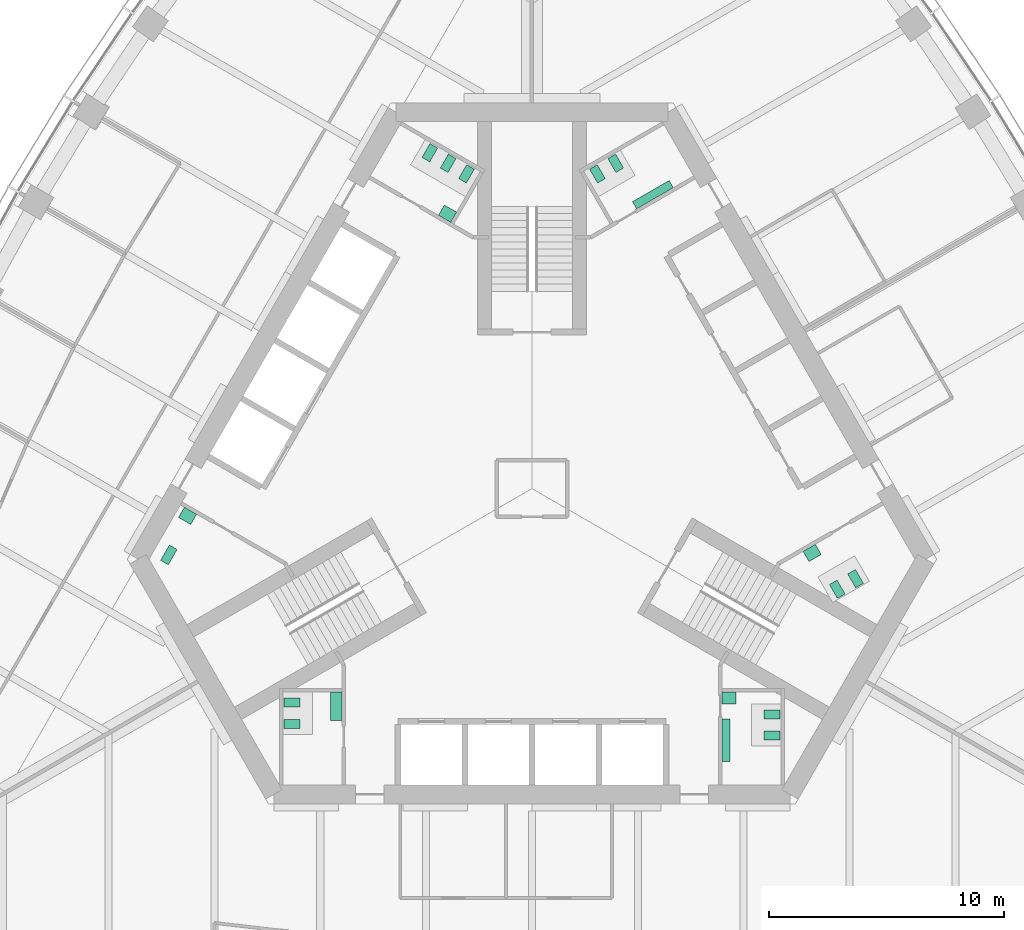
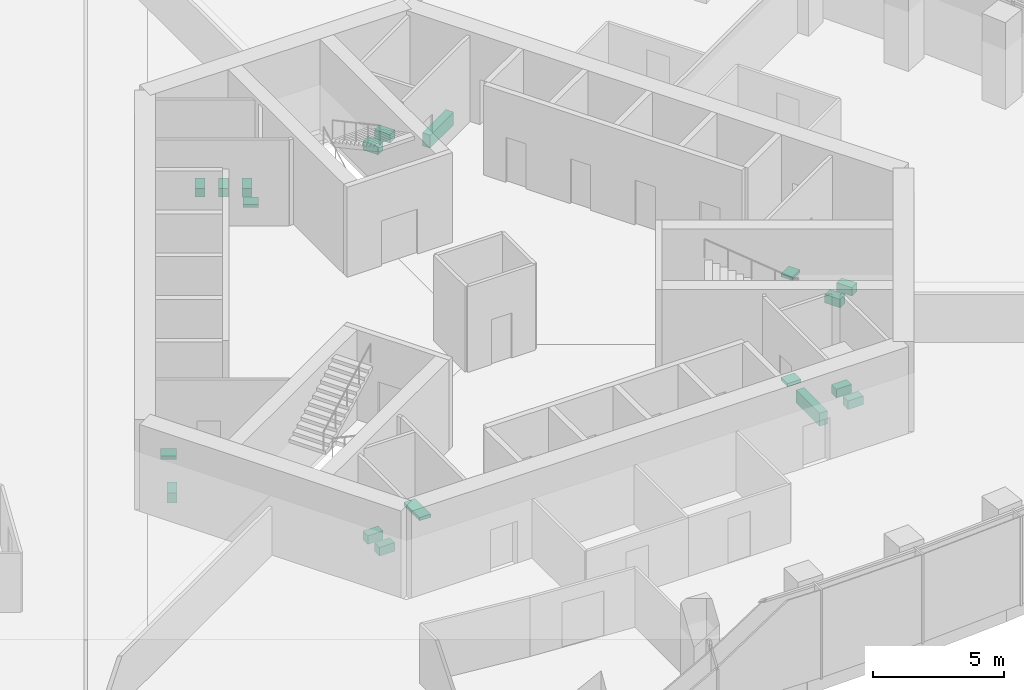
# One storey, part 18 of 19: 19 sanitary terminals.
"""IFC4 building model written with IfcOpenShell, lengths in metres."""

from ifc_helpers import new_model, si_unit, direction, frame, origin, place, context, subcontext, project, spatial, polyline, outline, extrude, material, type_object, element, save


model = new_model("IFC4")

# Units and contexts
model_context = context("Model", 3, precision=1e-05, world=origin(), true_north=direction((0.0, 1.0)))
body_context = subcontext(model_context, "Body", "Model", "MODEL_VIEW")
ifc_project = project(units=[si_unit("LENGTHUNIT", "METRE"), si_unit("AREAUNIT", "SQUARE_METRE"), si_unit("VOLUMEUNIT", "CUBIC_METRE"), si_unit("PLANEANGLEUNIT", "RADIAN"), si_unit("MASSUNIT", "GRAM", prefix="KILO")], contexts=[model_context])

# Site, building, storey
site_placement = place(None, origin())
site = spatial("IfcSite", under=ifc_project, at=site_placement, CompositionType="ELEMENT")
building_placement = place(site_placement, origin())
building = spatial("IfcBuilding", under=site, at=building_placement, Name="Trefoil Bronze Tower", CompositionType="ELEMENT")
storey_placement = place(building_placement, frame((0.0, 0.0, 206.5)))
storey = spatial("IfcBuildingStorey", under=building, at=storey_placement, Name="L47", CompositionType="ELEMENT", Elevation=206.5)

# Sanitary terminals
ifc_material_1 = material(Name="Vitreous china", Category="ceramic")
sanitary_terminal_type_1 = type_object("IfcSanitaryTerminalType", Name="Accessible WC pan", PredefinedType="TOILETPAN", material=ifc_material_1)
sanitary_terminal_1_placement = place(storey_placement, origin())
element("IfcSanitaryTerminal", 1, at=sanitary_terminal_1_placement, inside=storey, type_object=sanitary_terminal_type_1, Name="WC pan 1 Accessible WC L47", PredefinedType="TOILETPAN", context=body_context, shape_type="SweptSolid", body=[
    extrude(outline(polyline([(-15.085693359375, -2.589111328125), (-15.460693359375, -3.238525390625), (-15.789794921875, -3.048583984375), (-15.414794921875, -2.399169921875), (-15.085693359375, -2.589111328125)])), origin(), (0.0, 0.0, 1.0), 0.449951171875),
])
ifc_material_2 = material(Name="Vitreous china", Category="ceramic")
sanitary_terminal_type_2 = type_object("IfcSanitaryTerminalType", Name="Accessible basin", PredefinedType="WASHHANDBASIN", material=ifc_material_2)
sanitary_terminal_2_placement = place(storey_placement, frame((0.0, 0.0, 0.64990234375)))
element("IfcSanitaryTerminal", 2, at=sanitary_terminal_2_placement, inside=storey, type_object=sanitary_terminal_type_2, Name="Wash basin Accessible WC L47", PredefinedType="WASHHANDBASIN", context=body_context, shape_type="SweptSolid", body=[
    extrude(outline(polyline([(-14.256591796875, -1.09326171875), (-14.506591796875, -1.526123046875), (-15.026123046875, -1.22607421875), (-14.776123046875, -0.793212890625), (-14.256591796875, -1.09326171875)])), origin(), (0.0, 0.0, 1.0), 0.150146484375),
])
ifc_material_3 = material(Name="Vitreous china", Category="ceramic")
sanitary_terminal_type_3 = type_object("IfcSanitaryTerminalType", Name="Urinal range 3 urinals", PredefinedType="URINAL", material=ifc_material_3)
sanitary_terminal_3_placement = place(storey_placement, frame((0.0, 0.0, 0.39990234375)))
element("IfcSanitaryTerminal", 3, at=sanitary_terminal_3_placement, inside=storey, type_object=sanitary_terminal_type_3, Name="Urinal range WC (men) L47", PredefinedType="URINAL", context=body_context, shape_type="SweptSolid", body=[
    extrude(outline(polyline([(8.074951171875, -9.800048828125), (8.425048828125, -9.800048828125), (8.425048828125, -11.60009765625), (8.074951171875, -11.60009765625), (8.074951171875, -9.800048828125)])), origin(), (0.0, 0.0, 1.0), 0.60009765625),
])
sanitary_terminal_4_placement = place(storey_placement, frame((0.0, 0.0, 0.39990234375)))
element("IfcSanitaryTerminal", 4, at=sanitary_terminal_4_placement, inside=storey, type_object=sanitary_terminal_type_3, Name="Urinal range WC (men) L47", PredefinedType="URINAL", context=body_context, shape_type="SweptSolid", body=[
    extrude(outline(polyline([(4.449462890625, 11.89306640625), (4.274658203125, 12.1962890625), (5.83349609375, 13.09619140625), (6.00830078125, 12.793212890625), (4.449462890625, 11.89306640625)])), origin(), (0.0, 0.0, 1.0), 0.60009765625),
])
ifc_material_4 = material(Name="Solid surface vanity", Category="plastic")
sanitary_terminal_type_4 = type_object("IfcSanitaryTerminalType", Name="Vanity unit 1 basins", PredefinedType="WASHHANDBASIN", material=ifc_material_4)
sanitary_terminal_5_placement = place(storey_placement, frame((0.0, 0.0, 0.75)))
element("IfcSanitaryTerminal", 5, at=sanitary_terminal_5_placement, inside=storey, type_object=sanitary_terminal_type_4, Name="Vanity unit WC (men) L47", PredefinedType="WASHHANDBASIN", context=body_context, shape_type="SweptSolid", body=[
    extrude(outline(polyline([(8.074951171875, -8.64990234375), (8.675048828125, -8.64990234375), (8.675048828125, -9.14990234375), (8.074951171875, -9.14990234375), (8.074951171875, -8.64990234375)])), origin(), (0.0, 0.0, 1.0), 0.14990234375),
])
sanitary_terminal_6_placement = place(storey_placement, frame((0.0, 0.0, 0.75)))
element("IfcSanitaryTerminal", 6, at=sanitary_terminal_6_placement, inside=storey, type_object=sanitary_terminal_type_4, Name="Vanity unit WC (women) L47", PredefinedType="WASHHANDBASIN", context=body_context, shape_type="SweptSolid", body=[
    extrude(outline(polyline([(11.528564453125, -2.668212890625), (11.778564453125, -3.10107421875), (12.29833984375, -2.80126953125), (12.04833984375, -2.3681640625), (11.528564453125, -2.668212890625)])), origin(), (0.0, 0.0, 1.0), 0.14990234375),
])
sanitary_terminal_7_placement = place(storey_placement, frame((0.0, 0.0, 0.75)))
element("IfcSanitaryTerminal", 7, at=sanitary_terminal_7_placement, inside=storey, type_object=sanitary_terminal_type_4, Name="Vanity unit WC (women) L47", PredefinedType="WASHHANDBASIN", context=body_context, shape_type="SweptSolid", body=[
    extrude(outline(polyline([(-3.45361328125, 11.318115234375), (-3.20361328125, 11.751220703125), (-3.72314453125, 12.05126953125), (-3.97314453125, 11.6181640625), (-3.45361328125, 11.318115234375)])), origin(), (0.0, 0.0, 1.0), 0.14990234375),
])
ifc_material_5 = material(Name="Solid surface vanity", Category="plastic")
sanitary_terminal_type_5 = type_object("IfcSanitaryTerminalType", Name="Vanity unit 2 basins", PredefinedType="WASHHANDBASIN", material=ifc_material_5)
sanitary_terminal_8_placement = place(storey_placement, frame((0.0, 0.0, 0.75)))
element("IfcSanitaryTerminal", 8, at=sanitary_terminal_8_placement, inside=storey, type_object=sanitary_terminal_type_5, Name="Vanity unit WC (women) L47", PredefinedType="WASHHANDBASIN", context=body_context, shape_type="SweptSolid", body=[
    extrude(outline(polyline([(-8.074951171875, -8.64990234375), (-8.574951171875, -8.64990234375), (-8.574951171875, -9.85009765625), (-8.074951171875, -9.85009765625), (-8.074951171875, -8.64990234375)])), origin(), (0.0, 0.0, 1.0), 0.14990234375),
])
ifc_material_6 = material(Name="Vitreous china", Category="ceramic")
sanitary_terminal_type_6 = type_object("IfcSanitaryTerminalType", Name="WC pan", PredefinedType="TOILETPAN", material=ifc_material_6)
sanitary_terminal_9_placement = place(storey_placement, origin())
element("IfcSanitaryTerminal", 9, at=sanitary_terminal_9_placement, inside=storey, type_object=sanitary_terminal_type_6, Name="WC pan 1 WC (men) L47", PredefinedType="TOILETPAN", context=body_context, shape_type="SweptSolid", body=[
    extrude(outline(polyline([(9.85498046875, -9.409912109375), (10.534912109375, -9.409912109375), (10.534912109375, -9.7900390625), (9.85498046875, -9.7900390625), (9.85498046875, -9.409912109375)])), origin(), (0.0, 0.0, 1.0), 0.39990234375),
])
sanitary_terminal_10_placement = place(storey_placement, origin())
element("IfcSanitaryTerminal", 10, at=sanitary_terminal_10_placement, inside=storey, type_object=sanitary_terminal_type_6, Name="WC pan 2 WC (men) L47", PredefinedType="TOILETPAN", context=body_context, shape_type="SweptSolid", body=[
    extrude(outline(polyline([(9.85498046875, -10.31005859375), (10.534912109375, -10.31005859375), (10.534912109375, -10.68994140625), (9.85498046875, -10.68994140625), (9.85498046875, -10.31005859375)])), origin(), (0.0, 0.0, 1.0), 0.39990234375),
])
sanitary_terminal_11_placement = place(storey_placement, origin())
element("IfcSanitaryTerminal", 11, at=sanitary_terminal_11_placement, inside=storey, type_object=sanitary_terminal_type_6, Name="WC pan 1 WC (women) L47", PredefinedType="TOILETPAN", context=body_context, shape_type="SweptSolid", body=[
    extrude(outline(polyline([(12.643798828125, -4.07958984375), (12.98388671875, -4.66845703125), (13.31298828125, -4.478515625), (12.972900390625, -3.8896484375), (12.643798828125, -4.07958984375)])), origin(), (0.0, 0.0, 1.0), 0.39990234375),
])
sanitary_terminal_12_placement = place(storey_placement, origin())
element("IfcSanitaryTerminal", 12, at=sanitary_terminal_12_placement, inside=storey, type_object=sanitary_terminal_type_6, Name="WC pan 2 WC (women) L47", PredefinedType="TOILETPAN", context=body_context, shape_type="SweptSolid", body=[
    extrude(outline(polyline([(13.423095703125, -3.629638671875), (13.76318359375, -4.218505859375), (14.09228515625, -4.028564453125), (13.752197265625, -3.439697265625), (13.423095703125, -3.629638671875)])), origin(), (0.0, 0.0, 1.0), 0.39990234375),
])
sanitary_terminal_13_placement = place(storey_placement, origin())
element("IfcSanitaryTerminal", 13, at=sanitary_terminal_13_placement, inside=storey, type_object=sanitary_terminal_type_6, Name="WC pan 1 WC (men) L47", PredefinedType="TOILETPAN", context=body_context, shape_type="SweptSolid", body=[
    extrude(outline(polyline([(2.788818359375, 12.98974609375), (2.44873046875, 13.57861328125), (2.77783203125, 13.7685546875), (3.117919921875, 13.1796875), (2.788818359375, 12.98974609375)])), origin(), (0.0, 0.0, 1.0), 0.39990234375),
])
sanitary_terminal_14_placement = place(storey_placement, origin())
element("IfcSanitaryTerminal", 14, at=sanitary_terminal_14_placement, inside=storey, type_object=sanitary_terminal_type_6, Name="WC pan 2 WC (men) L47", PredefinedType="TOILETPAN", context=body_context, shape_type="SweptSolid", body=[
    extrude(outline(polyline([(3.568115234375, 13.439697265625), (3.228271484375, 14.028564453125), (3.557373046875, 14.218505859375), (3.897216796875, 13.629638671875), (3.568115234375, 13.439697265625)])), origin(), (0.0, 0.0, 1.0), 0.39990234375),
])
sanitary_terminal_15_placement = place(storey_placement, origin())
element("IfcSanitaryTerminal", 15, at=sanitary_terminal_15_placement, inside=storey, type_object=sanitary_terminal_type_6, Name="WC pan 1 WC (women) L47", PredefinedType="TOILETPAN", context=body_context, shape_type="SweptSolid", body=[
    extrude(outline(polyline([(-2.788818359375, 12.98974609375), (-2.44873046875, 13.57861328125), (-2.77783203125, 13.7685546875), (-3.117919921875, 13.1796875), (-2.788818359375, 12.98974609375)])), origin(), (0.0, 0.0, 1.0), 0.39990234375),
])
sanitary_terminal_16_placement = place(storey_placement, origin())
element("IfcSanitaryTerminal", 16, at=sanitary_terminal_16_placement, inside=storey, type_object=sanitary_terminal_type_6, Name="WC pan 2 WC (women) L47", PredefinedType="TOILETPAN", context=body_context, shape_type="SweptSolid", body=[
    extrude(outline(polyline([(-3.568115234375, 13.439697265625), (-3.228271484375, 14.028564453125), (-3.557373046875, 14.218505859375), (-3.897216796875, 13.629638671875), (-3.568115234375, 13.439697265625)])), origin(), (0.0, 0.0, 1.0), 0.39990234375),
])
sanitary_terminal_17_placement = place(storey_placement, origin())
element("IfcSanitaryTerminal", 17, at=sanitary_terminal_17_placement, inside=storey, type_object=sanitary_terminal_type_6, Name="WC pan 3 WC (women) L47", PredefinedType="TOILETPAN", context=body_context, shape_type="SweptSolid", body=[
    extrude(outline(polyline([(-4.34765625, 13.8896484375), (-4.007568359375, 14.478515625), (-4.336669921875, 14.66845703125), (-4.6767578125, 14.07958984375), (-4.34765625, 13.8896484375)])), origin(), (0.0, 0.0, 1.0), 0.39990234375),
])
sanitary_terminal_18_placement = place(storey_placement, origin())
element("IfcSanitaryTerminal", 18, at=sanitary_terminal_18_placement, inside=storey, type_object=sanitary_terminal_type_6, Name="WC pan 1 WC (women) L47", PredefinedType="TOILETPAN", context=body_context, shape_type="SweptSolid", body=[
    extrude(outline(polyline([(-9.85498046875, -8.909912109375), (-10.534912109375, -8.909912109375), (-10.534912109375, -9.2900390625), (-9.85498046875, -9.2900390625), (-9.85498046875, -8.909912109375)])), origin(), (0.0, 0.0, 1.0), 0.39990234375),
])
sanitary_terminal_19_placement = place(storey_placement, origin())
element("IfcSanitaryTerminal", 19, at=sanitary_terminal_19_placement, inside=storey, type_object=sanitary_terminal_type_6, Name="WC pan 2 WC (women) L47", PredefinedType="TOILETPAN", context=body_context, shape_type="SweptSolid", body=[
    extrude(outline(polyline([(-9.85498046875, -9.81005859375), (-10.534912109375, -9.81005859375), (-10.534912109375, -10.18994140625), (-9.85498046875, -10.18994140625), (-9.85498046875, -9.81005859375)])), origin(), (0.0, 0.0, 1.0), 0.39990234375),
])

save(model, "model.ifc")
